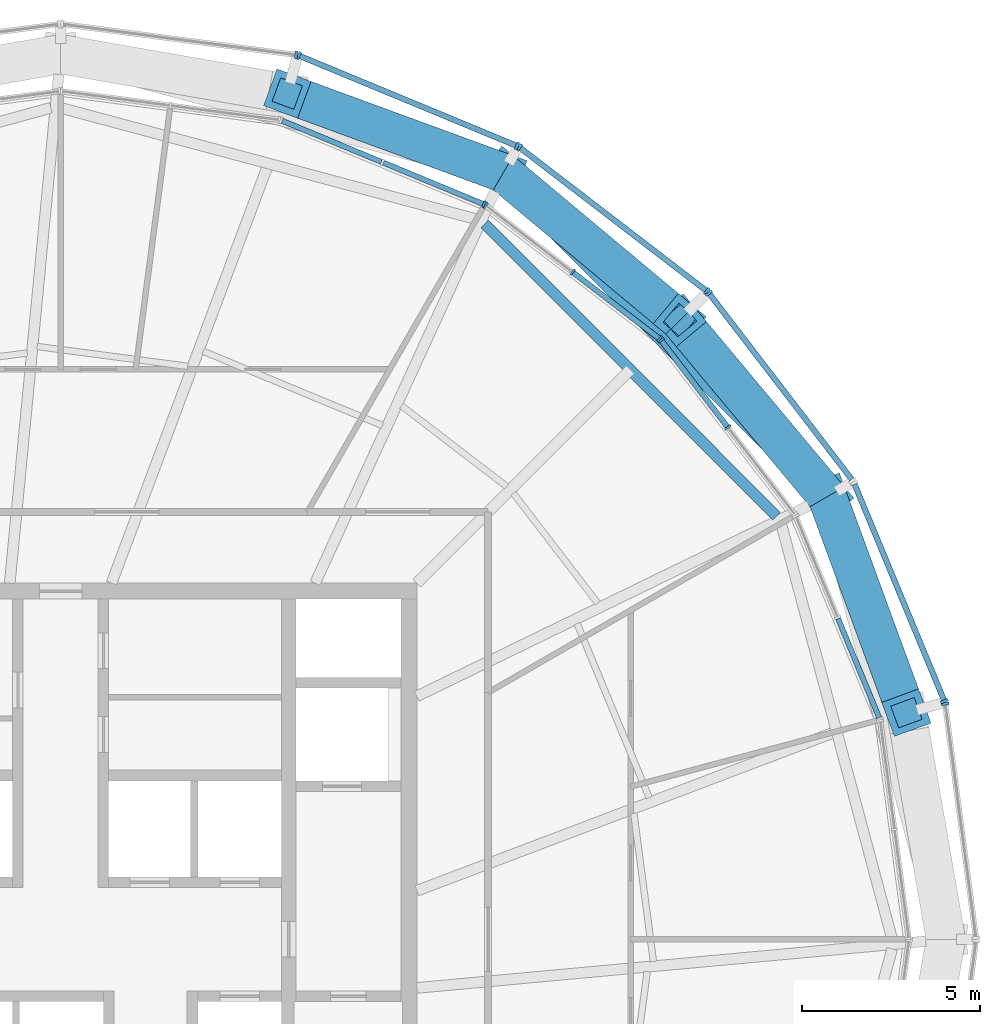
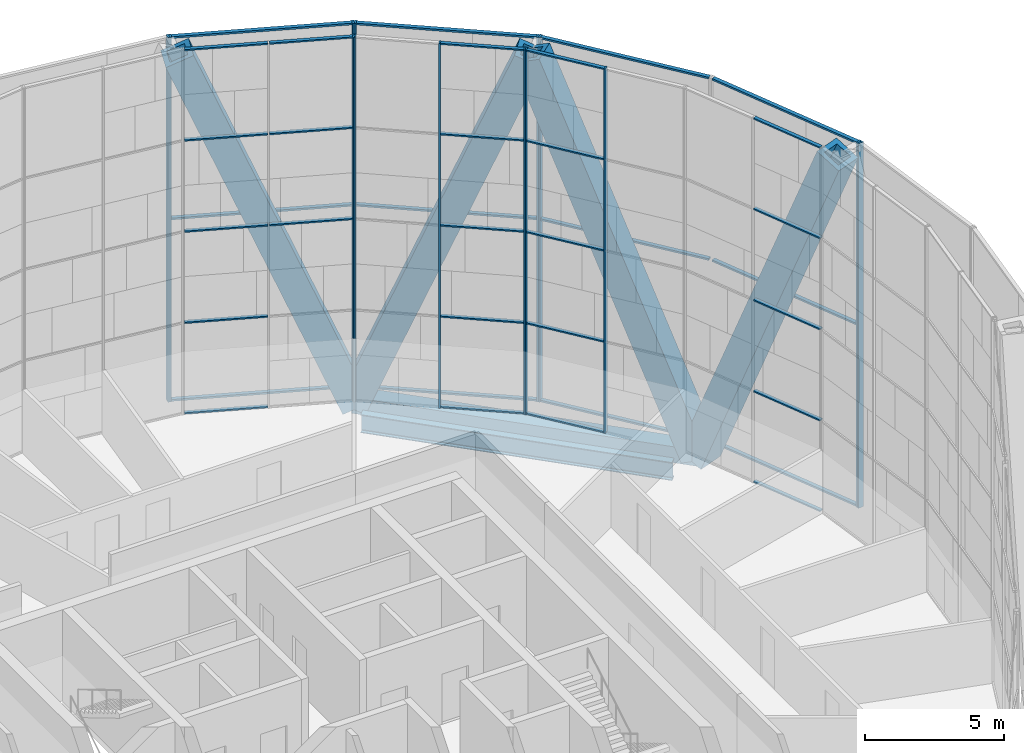
# One storey, part 11 of 28: 53 members, 2 beams, 10 elements without a shape of their own.
"""IFC4 building model written with IfcOpenShell, lengths in metres."""

from ifc_helpers import new_model, si_unit, direction, frame, origin, origin_2d, place, context, subcontext, project, spatial, rectangle, hollow_rectangle, i_section, extrude, material, material_profile, profile_set, type_object, element, aggregate, save


model = new_model("IFC4")

# Units and contexts
model_context = context("Model", 3, precision=1e-05, world=origin(), true_north=direction((0.0, 1.0)))
body_context = subcontext(model_context, "Body", "Model", "MODEL_VIEW")
ifc_project = project(units=[si_unit("LENGTHUNIT", "METRE"), si_unit("AREAUNIT", "SQUARE_METRE"), si_unit("VOLUMEUNIT", "CUBIC_METRE"), si_unit("PLANEANGLEUNIT", "RADIAN"), si_unit("MASSUNIT", "GRAM", prefix="KILO")], contexts=[model_context])

# Site, building, storey
site_placement = place(None, origin())
site = spatial("IfcSite", under=ifc_project, at=site_placement, CompositionType="ELEMENT")
building_placement = place(site_placement, origin())
building = spatial("IfcBuilding", under=site, at=building_placement, Name="Golbaran Civic Tower", CompositionType="ELEMENT")
storey_placement = place(building_placement, frame((0.0, 0.0, 183.0)))
storey = spatial("IfcBuildingStorey", under=building, at=storey_placement, Name="L44", CompositionType="ELEMENT", Elevation=183.0)

# Members
ifc_material_1 = material(Name="Steel S355", Category="steel")
ifc_material_profile_1 = material_profile(ifc_material_1, hollow_rectangle(XDim=1.10009765625, YDim=1.10009765625, WallThickness=0.199951171875, at=origin_2d()), Name="BOX 1100x1100x200")
ifc_profile_set_1 = profile_set([ifc_material_profile_1], Name="Steel S355")
member_type_1 = type_object("IfcMemberType", Name="DIAGRID DIAGONAL BOX 1100x1100x200", PredefinedType="BRACE", material=ifc_profile_set_1)
for number, where, z_axis, x_axis, name in (
    (1, (21.51806640625, 12.423583984375, -0.7099609375), (-0.239886471914, 0.287218522204, 0.927340283335), (-0.767514155398, -0.641031997067, 0.0), "Diagonal D10-01R L44-L48"),
    (2, (21.51806640625, 12.423583984375, -0.7099609375), (0.128807878317, -0.351359818356, 0.927337483621), (0.938897090127, 0.344197986848, 0.0), "Diagonal D10-01L L44-L48"),
    (3, (12.423583984375, 21.51806640625, -0.7099609375), (-0.351359818356, 0.128807878317, 0.927337483621), (-0.344197986848, -0.938897090127, 0.0), "Diagonal D10-02R L44-L48"),
    (4, (12.423583984375, 21.51806640625, -0.7099609375), (0.287218522204, -0.239886471914, 0.927340283335), (0.641031997067, 0.767514155398, 0.0), "Diagonal D10-02L L44-L48"),
):
    element("IfcMember", number, at=place(storey_placement, frame(where, z_axis=z_axis, x_axis=x_axis)), inside=storey, type_object=member_type_1, Name=name, PredefinedType="BRACE", context=body_context, shape_type="SweptSolid", body=[
        extrude(hollow_rectangle(XDim=1.10009765625, YDim=1.10009765625, WallThickness=0.199951171875, at=origin_2d()), origin(), (0.0, 0.0, 1.0), 17.253662109375),
    ])

# Beams
ifc_material_profile_2 = material_profile(ifc_material_1, hollow_rectangle(XDim=0.699951171875, YDim=0.699951171875, WallThickness=0.080078125, at=origin_2d()), Name="BOX 700x700x80")
ifc_profile_set_2 = profile_set([ifc_material_profile_2], Name="Steel S355")
beam_type_1 = type_object("IfcBeamType", Name="DIAGRID RING TIE BOX 700x700x80", PredefinedType="BEAM", material=ifc_profile_set_2)
beam_1_placement = place(storey_placement, frame((21.51806640625, 12.423583984375, -0.7099609375), z_axis=(-0.707106781187, 0.707106781187, 0.0), x_axis=(-0.707106781187, -0.707106781187, 0.0)))
element("IfcBeam", 5, at=beam_1_placement, inside=storey, type_object=beam_type_1, Name="Ring tie 30.00 L44", PredefinedType="BEAM", context=body_context, shape_type="SweptSolid", body=[
    extrude(hollow_rectangle(XDim=0.699951171875, YDim=0.699951171875, WallThickness=0.080078125, at=origin_2d()), origin(), (0.0, 0.0, 1.0), 12.861572265625),
])
ifc_material_profile_3 = material_profile(ifc_material_1, i_section(OverallWidth=0.300048828125, OverallDepth=0.800048828125, WebThickness=0.017578125, FlangeThickness=0.032958984375, FilletRadius=0.030029296875, at=origin_2d()), Name="HEB 800")
ifc_profile_set_3 = profile_set([ifc_material_profile_3], Name="Steel S355")
beam_type_2 = type_object("IfcBeamType", Name="EDGE BEAM HEB 800", PredefinedType="BEAM", material=ifc_profile_set_3)
beam_2_placement = place(storey_placement, frame((20.0966796875, 11.876708984375, -0.60009765625), z_axis=(-0.706601088042, 0.707612112939, 0.0), x_axis=(-0.707612112939, -0.706601088042, 0.0)))
element("IfcBeam", 6, at=beam_2_placement, inside=storey, type_object=beam_type_2, Name="Edge beam 30.00 L44", PredefinedType="BEAM", context=body_context, shape_type="SweptSolid", body=[
    extrude(i_section(OverallWidth=0.300048828125, OverallDepth=0.800048828125, WebThickness=0.017578125, FlangeThickness=0.032958984375, FilletRadius=0.030029296875, at=origin_2d()), origin(), (0.0, 0.0, 1.0), 11.591064453125),
])

# Curtain wall, members
ifc_material_2 = material(Name="Aluminium and glass", Category="aluminium")
curtain_wall_type_1 = type_object("IfcCurtainWallType", Name="INNER SKIN CURTAIN WALL EXECUTIVE", PredefinedType="NOTDEFINED", material=ifc_material_2)
curtain_wall_1_placement = place(storey_placement, origin())
curtain_wall_1 = element("IfcCurtainWall", 7, at=curtain_wall_1_placement, inside=storey, type_object=curtain_wall_type_1, Name="Inner skin L44 facet 3 CW2", ObjectType="INNER SKIN", PredefinedType="USERDEFINED")
ifc_material_3 = material(Name="Aluminium", Category="aluminium")
ifc_material_profile_4 = material_profile(ifc_material_3, rectangle(XDim=0.199951171875, YDim=0.06005859375, at=origin_2d()), Name="INNER SKIN CURTAIN WALL EXECUTIVE MULLION")
ifc_profile_set_4 = profile_set([ifc_material_profile_4], Name="Aluminium")
member_type_2 = type_object("IfcMemberType", Name="INNER SKIN CURTAIN WALL EXECUTIVE MULLION", PredefinedType="MULLION", material=ifc_profile_set_4)
member_1_placement = place(storey_placement, frame((18.729736328125, 14.371826171875, 0.0), z_axis=(0.0, 0.0, 1.0), x_axis=(-0.793353340334, -0.608761428953, 0.0)))
member_1 = element("IfcMember", 8, at=member_1_placement, type_object=member_type_2, Name="CW2 mullion 2", PredefinedType="MULLION", context=body_context, shape_type="SweptSolid", body=[
    extrude(rectangle(XDim=0.199951171875, YDim=0.06005859375, at=origin_2d()), origin(), (0.0, 0.0, 1.0), 16.0),
])
member_2_placement = place(storey_placement, frame((16.85595703125, 16.813720703125, 0.0), z_axis=(0.0, 0.0, 1.0), x_axis=(-0.793353340334, -0.608761428953, 0.0)))
member_2 = element("IfcMember", 9, at=member_2_placement, type_object=member_type_2, Name="CW2 mullion 3", PredefinedType="MULLION", context=body_context, shape_type="SweptSolid", body=[
    extrude(rectangle(XDim=0.199951171875, YDim=0.06005859375, at=origin_2d()), origin(), (0.0, 0.0, 1.0), 16.0),
])

curtain_wall_2_placement = place(storey_placement, origin())
curtain_wall_2 = element("IfcCurtainWall", 10, at=curtain_wall_2_placement, inside=storey, type_object=curtain_wall_type_1, Name="Inner skin L44 facet 4 CW2", ObjectType="INNER SKIN", PredefinedType="USERDEFINED")
member_3_placement = place(storey_placement, frame((16.813720703125, 16.85595703125, 0.0), z_axis=(0.0, 0.0, 1.0), x_axis=(-0.608761428953, -0.793353340334, 0.0)))
member_3 = element("IfcMember", 11, at=member_3_placement, type_object=member_type_2, Name="CW2 mullion 1", PredefinedType="MULLION", context=body_context, shape_type="SweptSolid", body=[
    extrude(rectangle(XDim=0.199951171875, YDim=0.06005859375, at=origin_2d()), origin(), (0.0, 0.0, 1.0), 16.0),
])
member_4_placement = place(storey_placement, frame((14.371826171875, 18.729736328125, 0.0), z_axis=(0.0, 0.0, 1.0), x_axis=(-0.608761428953, -0.793353340334, 0.0)))
member_4 = element("IfcMember", 12, at=member_4_placement, type_object=member_type_2, Name="CW2 mullion 2", PredefinedType="MULLION", context=body_context, shape_type="SweptSolid", body=[
    extrude(rectangle(XDim=0.199951171875, YDim=0.06005859375, at=origin_2d()), origin(), (0.0, 0.0, 1.0), 16.0),
])
member_5_placement = place(storey_placement, frame((11.9296875, 20.603515625, 0.0), z_axis=(0.0, 0.0, 1.0), x_axis=(-0.608761428953, -0.793353340334, 0.0)))
member_5 = element("IfcMember", 13, at=member_5_placement, type_object=member_type_2, Name="CW2 mullion 3", PredefinedType="MULLION", context=body_context, shape_type="SweptSolid", body=[
    extrude(rectangle(XDim=0.199951171875, YDim=0.06005859375, at=origin_2d()), origin(), (0.0, 0.0, 1.0), 16.0),
])

# Curtain wall, member
curtain_wall_3_placement = place(storey_placement, origin())
curtain_wall_3 = element("IfcCurtainWall", 14, at=curtain_wall_3_placement, inside=storey, type_object=curtain_wall_type_1, Name="Inner skin L44 facet 5 CW2", ObjectType="INNER SKIN", PredefinedType="USERDEFINED")
member_6_placement = place(storey_placement, frame((11.878173828125, 20.63330078125, 0.0), z_axis=(0.0, 0.0, 1.0), x_axis=(-0.382683432413, -0.923879532491, 0.0)))
member_6 = element("IfcMember", 15, at=member_6_placement, type_object=member_type_2, Name="CW2 mullion 1", PredefinedType="MULLION", context=body_context, shape_type="SweptSolid", body=[
    extrude(rectangle(XDim=0.199951171875, YDim=0.06005859375, at=origin_2d()), origin(), (0.0, 0.0, 1.0), 16.0),
])

# Curtain wall, members
curtain_wall_4_placement = place(storey_placement, origin())
curtain_wall_4 = element("IfcCurtainWall", 16, at=curtain_wall_4_placement, inside=storey, type_object=curtain_wall_type_1, Name="Inner skin L44 facet 2 CW2", ObjectType="INNER SKIN", PredefinedType="USERDEFINED")
ifc_material_profile_5 = material_profile(ifc_material_3, rectangle(XDim=0.14990234375, YDim=0.06005859375, at=origin_2d()), Name="INNER SKIN CURTAIN WALL EXECUTIVE TRANSOM")
ifc_profile_set_5 = profile_set([ifc_material_profile_5], Name="Aluminium")
member_type_3 = type_object("IfcMemberType", Name="INNER SKIN CURTAIN WALL EXECUTIVE TRANSOM", PredefinedType="USERDEFINED", material=ifc_profile_set_5)
member_7_placement = place(storey_placement, frame((22.977783203125, 6.218505859375, 0.030029296875), z_axis=(-0.382701860943, 0.923871898929, 0.0), x_axis=(-0.923871898929, -0.382701860943, 0.0)))
member_7 = element("IfcMember", 17, at=member_7_placement, type_object=member_type_3, Name="CW2 transom 1.1", ObjectType="TRANSOM", PredefinedType="USERDEFINED", context=body_context, shape_type="SweptSolid", body=[
    extrude(rectangle(XDim=0.14990234375, YDim=0.06005859375, at=origin_2d()), origin(), (0.0, 0.0, 1.0), 3.01806640625),
])
member_8_placement = place(storey_placement, frame((22.977783203125, 6.218505859375, 4.0), z_axis=(-0.382701860943, 0.923871898929, 0.0), x_axis=(-0.923871898929, -0.382701860943, 0.0)))
member_8 = element("IfcMember", 18, at=member_8_placement, type_object=member_type_3, Name="CW2 transom 1.2", ObjectType="TRANSOM", PredefinedType="USERDEFINED", context=body_context, shape_type="SweptSolid", body=[
    extrude(rectangle(XDim=0.14990234375, YDim=0.06005859375, at=origin_2d()), origin(), (0.0, 0.0, 1.0), 3.01806640625),
])
member_9_placement = place(storey_placement, frame((22.977783203125, 6.218505859375, 8.0), z_axis=(-0.382701860943, 0.923871898929, 0.0), x_axis=(-0.923871898929, -0.382701860943, 0.0)))
member_9 = element("IfcMember", 19, at=member_9_placement, type_object=member_type_3, Name="CW2 transom 1.3", ObjectType="TRANSOM", PredefinedType="USERDEFINED", context=body_context, shape_type="SweptSolid", body=[
    extrude(rectangle(XDim=0.14990234375, YDim=0.06005859375, at=origin_2d()), origin(), (0.0, 0.0, 1.0), 3.01806640625),
])
member_10_placement = place(storey_placement, frame((22.977783203125, 6.218505859375, 12.0), z_axis=(-0.382701860943, 0.923871898929, 0.0), x_axis=(-0.923871898929, -0.382701860943, 0.0)))
member_10 = element("IfcMember", 20, at=member_10_placement, type_object=member_type_3, Name="CW2 transom 1.4", ObjectType="TRANSOM", PredefinedType="USERDEFINED", context=body_context, shape_type="SweptSolid", body=[
    extrude(rectangle(XDim=0.14990234375, YDim=0.06005859375, at=origin_2d()), origin(), (0.0, 0.0, 1.0), 3.01806640625),
])
member_11_placement = place(storey_placement, frame((22.977783203125, 6.218505859375, 15.969970703125), z_axis=(-0.382701860943, 0.923871898929, 0.0), x_axis=(-0.923871898929, -0.382701860943, 0.0)))
member_11 = element("IfcMember", 21, at=member_11_placement, type_object=member_type_3, Name="CW2 transom 1.5", ObjectType="TRANSOM", PredefinedType="USERDEFINED", context=body_context, shape_type="SweptSolid", body=[
    extrude(rectangle(XDim=0.14990234375, YDim=0.06005859375, at=origin_2d()), origin(), (0.0, 0.0, 1.0), 3.01806640625),
])
aggregate(curtain_wall_4, [member_7, member_8, member_9, member_10, member_11])

# Member
member_12_placement = place(storey_placement, frame((18.71142578125, 14.3955078125, 0.030029296875), z_axis=(-0.608713410726, 0.793390183707, 0.0), x_axis=(-0.793390183707, -0.608713410726, 0.0)))
member_12 = element("IfcMember", 22, at=member_12_placement, type_object=member_type_3, Name="CW2 transom 2.1", ObjectType="TRANSOM", PredefinedType="USERDEFINED", context=body_context, shape_type="SweptSolid", body=[
    extrude(rectangle(XDim=0.14990234375, YDim=0.06005859375, at=origin_2d()), origin(), (0.0, 0.0, 1.0), 3.01806640625),
])

member_13_placement = place(storey_placement, frame((18.71142578125, 14.3955078125, 4.0), z_axis=(-0.608713410726, 0.793390183707, 0.0), x_axis=(-0.793390183707, -0.608713410726, 0.0)))
member_13 = element("IfcMember", 23, at=member_13_placement, type_object=member_type_3, Name="CW2 transom 2.2", ObjectType="TRANSOM", PredefinedType="USERDEFINED", context=body_context, shape_type="SweptSolid", body=[
    extrude(rectangle(XDim=0.14990234375, YDim=0.06005859375, at=origin_2d()), origin(), (0.0, 0.0, 1.0), 3.01806640625),
])

member_14_placement = place(storey_placement, frame((18.71142578125, 14.3955078125, 8.0), z_axis=(-0.608713410726, 0.793390183707, 0.0), x_axis=(-0.793390183707, -0.608713410726, 0.0)))
member_14 = element("IfcMember", 24, at=member_14_placement, type_object=member_type_3, Name="CW2 transom 2.3", ObjectType="TRANSOM", PredefinedType="USERDEFINED", context=body_context, shape_type="SweptSolid", body=[
    extrude(rectangle(XDim=0.14990234375, YDim=0.06005859375, at=origin_2d()), origin(), (0.0, 0.0, 1.0), 3.01806640625),
])

member_15_placement = place(storey_placement, frame((18.71142578125, 14.3955078125, 12.0), z_axis=(-0.608713410726, 0.793390183707, 0.0), x_axis=(-0.793390183707, -0.608713410726, 0.0)))
member_15 = element("IfcMember", 25, at=member_15_placement, type_object=member_type_3, Name="CW2 transom 2.4", ObjectType="TRANSOM", PredefinedType="USERDEFINED", context=body_context, shape_type="SweptSolid", body=[
    extrude(rectangle(XDim=0.14990234375, YDim=0.06005859375, at=origin_2d()), origin(), (0.0, 0.0, 1.0), 3.01806640625),
])

member_16_placement = place(storey_placement, frame((18.71142578125, 14.3955078125, 15.969970703125), z_axis=(-0.608713410726, 0.793390183707, 0.0), x_axis=(-0.793390183707, -0.608713410726, 0.0)))
member_16 = element("IfcMember", 26, at=member_16_placement, type_object=member_type_3, Name="CW2 transom 2.5", ObjectType="TRANSOM", PredefinedType="USERDEFINED", context=body_context, shape_type="SweptSolid", body=[
    extrude(rectangle(XDim=0.14990234375, YDim=0.06005859375, at=origin_2d()), origin(), (0.0, 0.0, 1.0), 3.01806640625),
])

aggregate(curtain_wall_1, [member_1, member_2, member_12, member_13, member_14, member_15, member_16])

member_17_placement = place(storey_placement, frame((16.7900390625, 16.874267578125, 0.030029296875), z_axis=(-0.793390183707, 0.608713410726, 0.0), x_axis=(-0.608713410726, -0.793390183707, 0.0)))
member_17 = element("IfcMember", 27, at=member_17_placement, type_object=member_type_3, Name="CW2 transom 1.1", ObjectType="TRANSOM", PredefinedType="USERDEFINED", context=body_context, shape_type="SweptSolid", body=[
    extrude(rectangle(XDim=0.14990234375, YDim=0.06005859375, at=origin_2d()), origin(), (0.0, 0.0, 1.0), 3.01806640625),
])

member_18_placement = place(storey_placement, frame((16.7900390625, 16.874267578125, 4.0), z_axis=(-0.793390183707, 0.608713410726, 0.0), x_axis=(-0.608713410726, -0.793390183707, 0.0)))
member_18 = element("IfcMember", 28, at=member_18_placement, type_object=member_type_3, Name="CW2 transom 1.2", ObjectType="TRANSOM", PredefinedType="USERDEFINED", context=body_context, shape_type="SweptSolid", body=[
    extrude(rectangle(XDim=0.14990234375, YDim=0.06005859375, at=origin_2d()), origin(), (0.0, 0.0, 1.0), 3.01806640625),
])

member_19_placement = place(storey_placement, frame((16.7900390625, 16.874267578125, 8.0), z_axis=(-0.793390183707, 0.608713410726, 0.0), x_axis=(-0.608713410726, -0.793390183707, 0.0)))
member_19 = element("IfcMember", 29, at=member_19_placement, type_object=member_type_3, Name="CW2 transom 1.3", ObjectType="TRANSOM", PredefinedType="USERDEFINED", context=body_context, shape_type="SweptSolid", body=[
    extrude(rectangle(XDim=0.14990234375, YDim=0.06005859375, at=origin_2d()), origin(), (0.0, 0.0, 1.0), 3.01806640625),
])

member_20_placement = place(storey_placement, frame((16.7900390625, 16.874267578125, 12.0), z_axis=(-0.793390183707, 0.608713410726, 0.0), x_axis=(-0.608713410726, -0.793390183707, 0.0)))
member_20 = element("IfcMember", 30, at=member_20_placement, type_object=member_type_3, Name="CW2 transom 1.4", ObjectType="TRANSOM", PredefinedType="USERDEFINED", context=body_context, shape_type="SweptSolid", body=[
    extrude(rectangle(XDim=0.14990234375, YDim=0.06005859375, at=origin_2d()), origin(), (0.0, 0.0, 1.0), 3.01806640625),
])

member_21_placement = place(storey_placement, frame((16.7900390625, 16.874267578125, 15.969970703125), z_axis=(-0.793390183707, 0.608713410726, 0.0), x_axis=(-0.608713410726, -0.793390183707, 0.0)))
member_21 = element("IfcMember", 31, at=member_21_placement, type_object=member_type_3, Name="CW2 transom 1.5", ObjectType="TRANSOM", PredefinedType="USERDEFINED", context=body_context, shape_type="SweptSolid", body=[
    extrude(rectangle(XDim=0.14990234375, YDim=0.06005859375, at=origin_2d()), origin(), (0.0, 0.0, 1.0), 3.01806640625),
])

aggregate(curtain_wall_2, [member_3, member_4, member_5, member_17, member_18, member_19, member_20, member_21])

member_22_placement = place(storey_placement, frame((11.8505859375, 20.644775390625, 8.0), z_axis=(-0.923871898929, 0.382701860943, 0.0), x_axis=(-0.382701860943, -0.923871898929, 0.0)))
member_22 = element("IfcMember", 32, at=member_22_placement, type_object=member_type_3, Name="CW2 transom 1.3", ObjectType="TRANSOM", PredefinedType="USERDEFINED", context=body_context, shape_type="SweptSolid", body=[
    extrude(rectangle(XDim=0.14990234375, YDim=0.06005859375, at=origin_2d()), origin(), (0.0, 0.0, 1.0), 3.01806640625),
])

member_23_placement = place(storey_placement, frame((11.8505859375, 20.644775390625, 12.0), z_axis=(-0.923871898929, 0.382701860943, 0.0), x_axis=(-0.382701860943, -0.923871898929, 0.0)))
member_23 = element("IfcMember", 33, at=member_23_placement, type_object=member_type_3, Name="CW2 transom 1.4", ObjectType="TRANSOM", PredefinedType="USERDEFINED", context=body_context, shape_type="SweptSolid", body=[
    extrude(rectangle(XDim=0.14990234375, YDim=0.06005859375, at=origin_2d()), origin(), (0.0, 0.0, 1.0), 3.01806640625),
])

member_24_placement = place(storey_placement, frame((11.8505859375, 20.644775390625, 15.969970703125), z_axis=(-0.923871898929, 0.382701860943, 0.0), x_axis=(-0.382701860943, -0.923871898929, 0.0)))
member_24 = element("IfcMember", 34, at=member_24_placement, type_object=member_type_3, Name="CW2 transom 1.5", ObjectType="TRANSOM", PredefinedType="USERDEFINED", context=body_context, shape_type="SweptSolid", body=[
    extrude(rectangle(XDim=0.14990234375, YDim=0.06005859375, at=origin_2d()), origin(), (0.0, 0.0, 1.0), 3.01806640625),
])

member_25_placement = place(storey_placement, frame((9.0068359375, 21.82275390625, 0.030029296875), z_axis=(-0.923871898929, 0.382701860943, 0.0), x_axis=(-0.382701860943, -0.923871898929, 0.0)))
member_25 = element("IfcMember", 35, at=member_25_placement, type_object=member_type_3, Name="CW2 transom 2.1", ObjectType="TRANSOM", PredefinedType="USERDEFINED", context=body_context, shape_type="SweptSolid", body=[
    extrude(rectangle(XDim=0.14990234375, YDim=0.06005859375, at=origin_2d()), origin(), (0.0, 0.0, 1.0), 3.01806640625),
])

member_26_placement = place(storey_placement, frame((9.0068359375, 21.82275390625, 4.0), z_axis=(-0.923871898929, 0.382701860943, 0.0), x_axis=(-0.382701860943, -0.923871898929, 0.0)))
member_26 = element("IfcMember", 36, at=member_26_placement, type_object=member_type_3, Name="CW2 transom 2.2", ObjectType="TRANSOM", PredefinedType="USERDEFINED", context=body_context, shape_type="SweptSolid", body=[
    extrude(rectangle(XDim=0.14990234375, YDim=0.06005859375, at=origin_2d()), origin(), (0.0, 0.0, 1.0), 3.01806640625),
])

member_27_placement = place(storey_placement, frame((9.0068359375, 21.82275390625, 8.0), z_axis=(-0.923871898929, 0.382701860943, 0.0), x_axis=(-0.382701860943, -0.923871898929, 0.0)))
member_27 = element("IfcMember", 37, at=member_27_placement, type_object=member_type_3, Name="CW2 transom 2.3", ObjectType="TRANSOM", PredefinedType="USERDEFINED", context=body_context, shape_type="SweptSolid", body=[
    extrude(rectangle(XDim=0.14990234375, YDim=0.06005859375, at=origin_2d()), origin(), (0.0, 0.0, 1.0), 3.01806640625),
])

member_28_placement = place(storey_placement, frame((9.0068359375, 21.82275390625, 12.0), z_axis=(-0.923871898929, 0.382701860943, 0.0), x_axis=(-0.382701860943, -0.923871898929, 0.0)))
member_28 = element("IfcMember", 38, at=member_28_placement, type_object=member_type_3, Name="CW2 transom 2.4", ObjectType="TRANSOM", PredefinedType="USERDEFINED", context=body_context, shape_type="SweptSolid", body=[
    extrude(rectangle(XDim=0.14990234375, YDim=0.06005859375, at=origin_2d()), origin(), (0.0, 0.0, 1.0), 3.01806640625),
])

member_29_placement = place(storey_placement, frame((9.0068359375, 21.82275390625, 15.969970703125), z_axis=(-0.923871898929, 0.382701860943, 0.0), x_axis=(-0.382701860943, -0.923871898929, 0.0)))
member_29 = element("IfcMember", 39, at=member_29_placement, type_object=member_type_3, Name="CW2 transom 2.5", ObjectType="TRANSOM", PredefinedType="USERDEFINED", context=body_context, shape_type="SweptSolid", body=[
    extrude(rectangle(XDim=0.14990234375, YDim=0.06005859375, at=origin_2d()), origin(), (0.0, 0.0, 1.0), 3.01806640625),
])

aggregate(curtain_wall_3, [member_6, member_22, member_23, member_24, member_25, member_26, member_27, member_28, member_29])

# Curtain wall, member
curtain_wall_type_2 = type_object("IfcCurtainWallType", Name="OUTER SKIN TERRACOTTA SCREEN", PredefinedType="NOTDEFINED", material=ifc_material_2)
curtain_wall_5_placement = place(storey_placement, origin())
curtain_wall_5 = element("IfcCurtainWall", 40, at=curtain_wall_5_placement, inside=storey, type_object=curtain_wall_type_2, Name="Outer skin L44 facet 1 CW3", ObjectType="OUTER SKIN", PredefinedType="USERDEFINED")
ifc_material_profile_6 = material_profile(ifc_material_3, rectangle(XDim=0.219970703125, YDim=0.080078125, at=origin_2d()), Name="OUTER SKIN TERRACOTTA SCREEN MULLION")
ifc_profile_set_6 = profile_set([ifc_material_profile_6], Name="Aluminium")
member_type_4 = type_object("IfcMemberType", Name="OUTER SKIN TERRACOTTA SCREEN MULLION", PredefinedType="MULLION", material=ifc_profile_set_6)
member_30_placement = place(storey_placement, frame((24.82666015625, 6.611328125, -0.7099609375), z_axis=(0.0, 0.0, 1.0), x_axis=(-0.991444861372, -0.130526192237, 0.0)))
member_30 = element("IfcMember", 41, at=member_30_placement, type_object=member_type_4, Name="CW3 mullion 2", PredefinedType="MULLION", context=body_context, shape_type="SweptSolid", body=[
    extrude(rectangle(XDim=0.219970703125, YDim=0.080078125, at=origin_2d()), origin(), (0.0, 0.0, 1.0), 16.0),
])
aggregate(curtain_wall_5, [member_30])

curtain_wall_6_placement = place(storey_placement, origin())
curtain_wall_6 = element("IfcCurtainWall", 42, at=curtain_wall_6_placement, inside=storey, type_object=curtain_wall_type_2, Name="Outer skin L44 facet 2 CW3", ObjectType="OUTER SKIN", PredefinedType="USERDEFINED")
member_31_placement = place(storey_placement, frame((24.80615234375, 6.687744140625, -0.7099609375), z_axis=(0.0, 0.0, 1.0), x_axis=(-0.923879532518, -0.382683432349, 0.0)))
member_31 = element("IfcMember", 43, at=member_31_placement, type_object=member_type_4, Name="CW3 mullion 1", PredefinedType="MULLION", context=body_context, shape_type="SweptSolid", body=[
    extrude(rectangle(XDim=0.219970703125, YDim=0.080078125, at=origin_2d()), origin(), (0.0, 0.0, 1.0), 16.0),
])

curtain_wall_7_placement = place(storey_placement, origin())
curtain_wall_7 = element("IfcCurtainWall", 44, at=curtain_wall_7_placement, inside=storey, type_object=curtain_wall_type_2, Name="Outer skin L44 facet 3 CW3", ObjectType="OUTER SKIN", PredefinedType="USERDEFINED")
member_32_placement = place(storey_placement, frame((18.19482421875, 18.138671875, -0.7099609375), z_axis=(0.0, 0.0, 1.0), x_axis=(-0.793353340281, -0.608761429023, 0.0)))
member_32 = element("IfcMember", 45, at=member_32_placement, type_object=member_type_4, Name="CW3 mullion 2", PredefinedType="MULLION", context=body_context, shape_type="SweptSolid", body=[
    extrude(rectangle(XDim=0.219970703125, YDim=0.080078125, at=origin_2d()), origin(), (0.0, 0.0, 1.0), 16.0),
])

# Curtain wall, members
curtain_wall_8_placement = place(storey_placement, origin())
curtain_wall_8 = element("IfcCurtainWall", 46, at=curtain_wall_8_placement, inside=storey, type_object=curtain_wall_type_2, Name="Outer skin L44 facet 4 CW3", ObjectType="OUTER SKIN", PredefinedType="USERDEFINED")
member_33_placement = place(storey_placement, frame((18.138671875, 18.19482421875, -0.7099609375), z_axis=(0.0, 0.0, 1.0), x_axis=(-0.608761429023, -0.793353340281, 0.0)))
member_33 = element("IfcMember", 47, at=member_33_placement, type_object=member_type_4, Name="CW3 mullion 1", PredefinedType="MULLION", context=body_context, shape_type="SweptSolid", body=[
    extrude(rectangle(XDim=0.219970703125, YDim=0.080078125, at=origin_2d()), origin(), (0.0, 0.0, 1.0), 16.0),
])
member_34_placement = place(storey_placement, frame((12.880126953125, 22.22998046875, -0.7099609375), z_axis=(0.0, 0.0, 1.0), x_axis=(-0.608761429023, -0.793353340281, 0.0)))
member_34 = element("IfcMember", 48, at=member_34_placement, type_object=member_type_4, Name="CW3 mullion 2", PredefinedType="MULLION", context=body_context, shape_type="SweptSolid", body=[
    extrude(rectangle(XDim=0.219970703125, YDim=0.080078125, at=origin_2d()), origin(), (0.0, 0.0, 1.0), 16.0),
])

curtain_wall_9_placement = place(storey_placement, origin())
curtain_wall_9 = element("IfcCurtainWall", 49, at=curtain_wall_9_placement, inside=storey, type_object=curtain_wall_type_2, Name="Outer skin L44 facet 5 CW3", ObjectType="OUTER SKIN", PredefinedType="USERDEFINED")
member_35_placement = place(storey_placement, frame((12.8115234375, 22.26953125, -0.7099609375), z_axis=(0.0, 0.0, 1.0), x_axis=(-0.382683432349, -0.923879532518, 0.0)))
member_35 = element("IfcMember", 50, at=member_35_placement, type_object=member_type_4, Name="CW3 mullion 1", PredefinedType="MULLION", context=body_context, shape_type="SweptSolid", body=[
    extrude(rectangle(XDim=0.219970703125, YDim=0.080078125, at=origin_2d()), origin(), (0.0, 0.0, 1.0), 16.0),
])
member_36_placement = place(storey_placement, frame((6.687744140625, 24.80615234375, -0.7099609375), z_axis=(0.0, 0.0, 1.0), x_axis=(-0.382683432349, -0.923879532518, 0.0)))
member_36 = element("IfcMember", 51, at=member_36_placement, type_object=member_type_4, Name="CW3 mullion 2", PredefinedType="MULLION", context=body_context, shape_type="SweptSolid", body=[
    extrude(rectangle(XDim=0.219970703125, YDim=0.080078125, at=origin_2d()), origin(), (0.0, 0.0, 1.0), 16.0),
])

# Curtain wall, member
curtain_wall_10_placement = place(storey_placement, origin())
curtain_wall_10 = element("IfcCurtainWall", 52, at=curtain_wall_10_placement, inside=storey, type_object=curtain_wall_type_2, Name="Outer skin L44 facet 6 CW3", ObjectType="OUTER SKIN", PredefinedType="USERDEFINED")
member_37_placement = place(storey_placement, frame((6.611328125, 24.82666015625, -0.7099609375), z_axis=(0.0, 0.0, 1.0), x_axis=(-0.130526192237, -0.991444861372, 0.0)))
member_37 = element("IfcMember", 53, at=member_37_placement, type_object=member_type_4, Name="CW3 mullion 1", PredefinedType="MULLION", context=body_context, shape_type="SweptSolid", body=[
    extrude(rectangle(XDim=0.219970703125, YDim=0.080078125, at=origin_2d()), origin(), (0.0, 0.0, 1.0), 16.0),
])
aggregate(curtain_wall_10, [member_37])

# Member
ifc_material_profile_7 = material_profile(ifc_material_3, rectangle(XDim=0.159912109375, YDim=0.080078125, at=origin_2d()), Name="OUTER SKIN TERRACOTTA SCREEN TRANSOM")
ifc_profile_set_7 = profile_set([ifc_material_profile_7], Name="Aluminium")
member_type_5 = type_object("IfcMemberType", Name="OUTER SKIN TERRACOTTA SCREEN TRANSOM", PredefinedType="USERDEFINED", material=ifc_profile_set_7)
member_38_placement = place(storey_placement, frame((24.790771484375, 6.724853515625, -0.669921875), z_axis=(-0.382676683396, 0.923882327997, 0.0), x_axis=(-0.923882327997, -0.382676683396, 0.0)))
member_38 = element("IfcMember", 54, at=member_38_placement, type_object=member_type_5, Name="CW3 transom 1.1", ObjectType="TRANSOM", PredefinedType="USERDEFINED", context=body_context, shape_type="SweptSolid", body=[
    extrude(rectangle(XDim=0.159912109375, YDim=0.080078125, at=origin_2d()), origin(), (0.0, 0.0, 1.0), 6.54833984375),
])

member_39_placement = place(storey_placement, frame((24.790771484375, 6.724853515625, 7.2900390625), z_axis=(-0.382676683396, 0.923882327997, 0.0), x_axis=(-0.923882327997, -0.382676683396, 0.0)))
member_39 = element("IfcMember", 55, at=member_39_placement, type_object=member_type_5, Name="CW3 transom 1.2", ObjectType="TRANSOM", PredefinedType="USERDEFINED", context=body_context, shape_type="SweptSolid", body=[
    extrude(rectangle(XDim=0.159912109375, YDim=0.080078125, at=origin_2d()), origin(), (0.0, 0.0, 1.0), 6.54833984375),
])

member_40_placement = place(storey_placement, frame((24.790771484375, 6.724853515625, 15.25), z_axis=(-0.382676683396, 0.923882327997, 0.0), x_axis=(-0.923882327997, -0.382676683396, 0.0)))
member_40 = element("IfcMember", 56, at=member_40_placement, type_object=member_type_5, Name="CW3 transom 1.3", ObjectType="TRANSOM", PredefinedType="USERDEFINED", context=body_context, shape_type="SweptSolid", body=[
    extrude(rectangle(XDim=0.159912109375, YDim=0.080078125, at=origin_2d()), origin(), (0.0, 0.0, 1.0), 6.54833984375),
])

aggregate(curtain_wall_6, [member_31, member_38, member_39, member_40])

member_41_placement = place(storey_placement, frame((22.20556640625, 12.911865234375, -0.669921875), z_axis=(-0.608762579401, 0.793352457563, 0.0), x_axis=(-0.793352457563, -0.608762579401, 0.0)))
member_41 = element("IfcMember", 57, at=member_41_placement, type_object=member_type_5, Name="CW3 transom 1.1", ObjectType="TRANSOM", PredefinedType="USERDEFINED", context=body_context, shape_type="SweptSolid", body=[
    extrude(rectangle(XDim=0.159912109375, YDim=0.080078125, at=origin_2d()), origin(), (0.0, 0.0, 1.0), 6.54833984375),
])

member_42_placement = place(storey_placement, frame((22.20556640625, 12.911865234375, 7.2900390625), z_axis=(-0.608762579401, 0.793352457563, 0.0), x_axis=(-0.793352457563, -0.608762579401, 0.0)))
member_42 = element("IfcMember", 58, at=member_42_placement, type_object=member_type_5, Name="CW3 transom 1.2", ObjectType="TRANSOM", PredefinedType="USERDEFINED", context=body_context, shape_type="SweptSolid", body=[
    extrude(rectangle(XDim=0.159912109375, YDim=0.080078125, at=origin_2d()), origin(), (0.0, 0.0, 1.0), 6.54833984375),
])

member_43_placement = place(storey_placement, frame((22.20556640625, 12.911865234375, 15.25), z_axis=(-0.608762579401, 0.793352457563, 0.0), x_axis=(-0.793352457563, -0.608762579401, 0.0)))
member_43 = element("IfcMember", 59, at=member_43_placement, type_object=member_type_5, Name="CW3 transom 1.3", ObjectType="TRANSOM", PredefinedType="USERDEFINED", context=body_context, shape_type="SweptSolid", body=[
    extrude(rectangle(XDim=0.159912109375, YDim=0.080078125, at=origin_2d()), origin(), (0.0, 0.0, 1.0), 6.54833984375),
])

aggregate(curtain_wall_7, [member_32, member_41, member_42, member_43])

member_44_placement = place(storey_placement, frame((18.10693359375, 18.21923828125, -0.669921875), z_axis=(-0.793352457563, 0.608762579401, 0.0), x_axis=(-0.608762579401, -0.793352457563, 0.0)))
member_44 = element("IfcMember", 60, at=member_44_placement, type_object=member_type_5, Name="CW3 transom 1.1", ObjectType="TRANSOM", PredefinedType="USERDEFINED", context=body_context, shape_type="SweptSolid", body=[
    extrude(rectangle(XDim=0.159912109375, YDim=0.080078125, at=origin_2d()), origin(), (0.0, 0.0, 1.0), 6.54833984375),
])

member_45_placement = place(storey_placement, frame((18.10693359375, 18.21923828125, 7.2900390625), z_axis=(-0.793352457563, 0.608762579401, 0.0), x_axis=(-0.608762579401, -0.793352457563, 0.0)))
member_45 = element("IfcMember", 61, at=member_45_placement, type_object=member_type_5, Name="CW3 transom 1.2", ObjectType="TRANSOM", PredefinedType="USERDEFINED", context=body_context, shape_type="SweptSolid", body=[
    extrude(rectangle(XDim=0.159912109375, YDim=0.080078125, at=origin_2d()), origin(), (0.0, 0.0, 1.0), 6.54833984375),
])

member_46_placement = place(storey_placement, frame((18.10693359375, 18.21923828125, 15.25), z_axis=(-0.793352457563, 0.608762579401, 0.0), x_axis=(-0.608762579401, -0.793352457563, 0.0)))
member_46 = element("IfcMember", 62, at=member_46_placement, type_object=member_type_5, Name="CW3 transom 1.3", ObjectType="TRANSOM", PredefinedType="USERDEFINED", context=body_context, shape_type="SweptSolid", body=[
    extrude(rectangle(XDim=0.159912109375, YDim=0.080078125, at=origin_2d()), origin(), (0.0, 0.0, 1.0), 6.54833984375),
])

aggregate(curtain_wall_8, [member_33, member_34, member_44, member_45, member_46])

member_47_placement = place(storey_placement, frame((12.774658203125, 22.284912109375, -0.669921875), z_axis=(-0.923882327997, 0.382676683396, 0.0), x_axis=(-0.382676683396, -0.923882327997, 0.0)))
member_47 = element("IfcMember", 63, at=member_47_placement, type_object=member_type_5, Name="CW3 transom 1.1", ObjectType="TRANSOM", PredefinedType="USERDEFINED", context=body_context, shape_type="SweptSolid", body=[
    extrude(rectangle(XDim=0.159912109375, YDim=0.080078125, at=origin_2d()), origin(), (0.0, 0.0, 1.0), 6.54833984375),
])

member_48_placement = place(storey_placement, frame((12.774658203125, 22.284912109375, 7.2900390625), z_axis=(-0.923882327997, 0.382676683396, 0.0), x_axis=(-0.382676683396, -0.923882327997, 0.0)))
member_48 = element("IfcMember", 64, at=member_48_placement, type_object=member_type_5, Name="CW3 transom 1.2", ObjectType="TRANSOM", PredefinedType="USERDEFINED", context=body_context, shape_type="SweptSolid", body=[
    extrude(rectangle(XDim=0.159912109375, YDim=0.080078125, at=origin_2d()), origin(), (0.0, 0.0, 1.0), 6.54833984375),
])

member_49_placement = place(storey_placement, frame((12.774658203125, 22.284912109375, 15.25), z_axis=(-0.923882327997, 0.382676683396, 0.0), x_axis=(-0.382676683396, -0.923882327997, 0.0)))
member_49 = element("IfcMember", 65, at=member_49_placement, type_object=member_type_5, Name="CW3 transom 1.3", ObjectType="TRANSOM", PredefinedType="USERDEFINED", context=body_context, shape_type="SweptSolid", body=[
    extrude(rectangle(XDim=0.159912109375, YDim=0.080078125, at=origin_2d()), origin(), (0.0, 0.0, 1.0), 6.54833984375),
])

aggregate(curtain_wall_9, [member_35, member_36, member_47, member_48, member_49])

save(model, "model.ifc")
